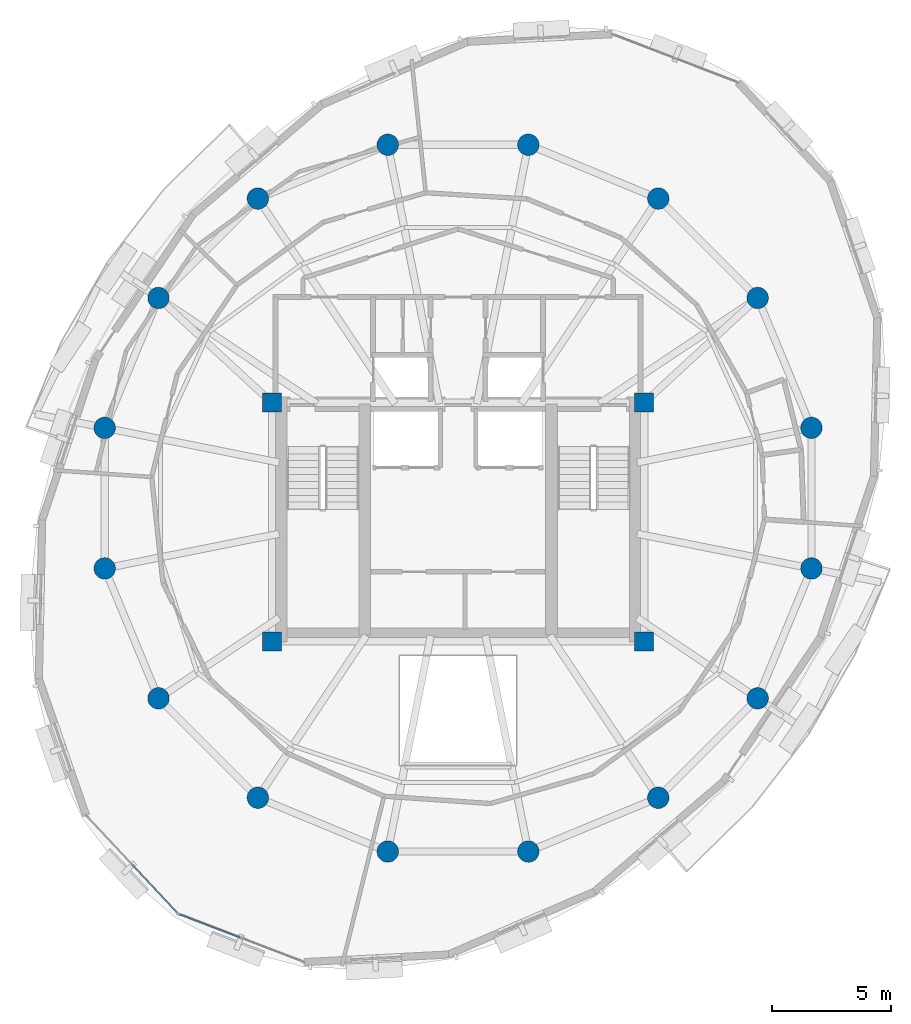
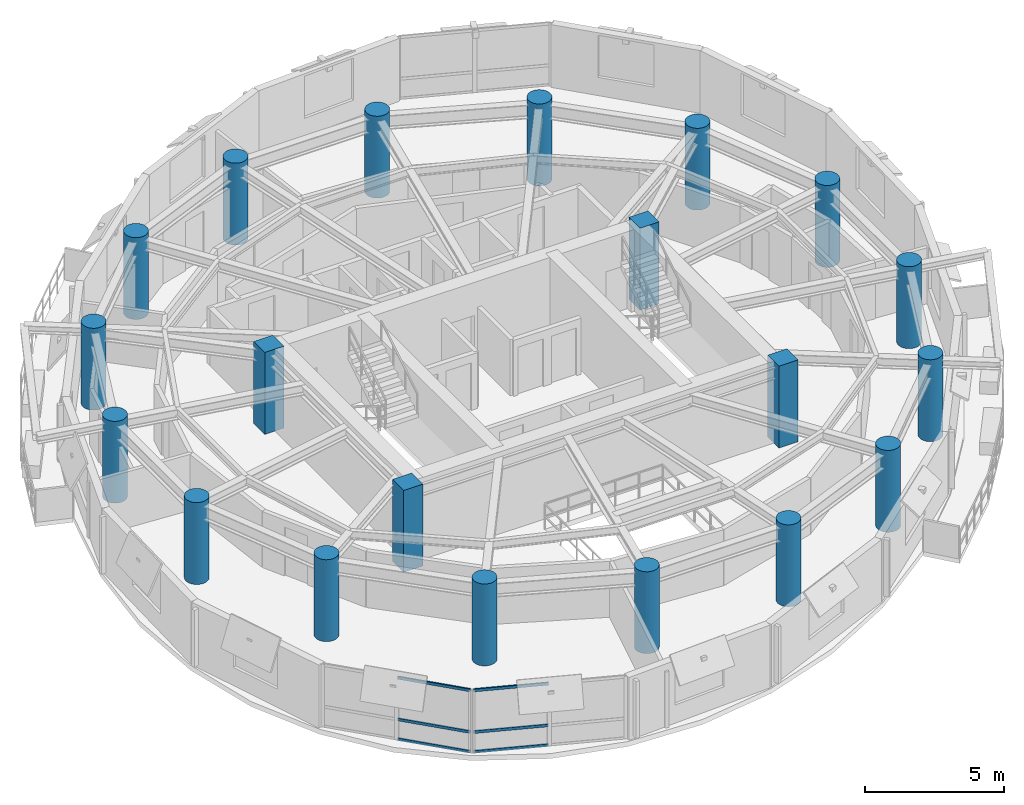
# One storey, part 1 of 11: 20 columns, 6 members, 2 elements without a shape of their own.
"""IFC4 building model written with IfcOpenShell, lengths in metres."""

from ifc_helpers import new_model, si_unit, direction, frame, origin, origin_2d, place, context, subcontext, project, spatial, rectangle, hollow_rectangle, circle, extrude, material, layer, layer_set, material_profile, profile_set, type_object, element, aggregate, save


model = new_model("IFC4")

# Units and contexts
model_context = context("Model", 3, precision=1e-05, world=origin(), true_north=direction((0.0, 1.0)))
body_context = subcontext(model_context, "Body", "Model", "MODEL_VIEW")
ifc_project = project(units=[si_unit("LENGTHUNIT", "METRE"), si_unit("AREAUNIT", "SQUARE_METRE"), si_unit("VOLUMEUNIT", "CUBIC_METRE"), si_unit("PLANEANGLEUNIT", "RADIAN"), si_unit("MASSUNIT", "GRAM", prefix="KILO"), si_unit("THERMODYNAMICTEMPERATUREUNIT", "KELVIN"), si_unit("POWERUNIT", "WATT")], contexts=[model_context])

# Site, building, storey
site_placement = place(None, origin())
site = spatial("IfcSite", under=ifc_project, at=site_placement, CompositionType="ELEMENT")
building_placement = place(site_placement, origin())
building = spatial("IfcBuilding", under=site, at=building_placement, Name="Ocrelia Relay Tower", CompositionType="ELEMENT")
storey_placement = place(building_placement, frame((0.0, 0.0, 262.800048828125)))
storey = spatial("IfcBuildingStorey", under=building, at=storey_placement, Name="L65", CompositionType="ELEMENT", Elevation=262.800048828125)

# Columns
ifc_material_1 = material(Name="Concrete C50/60", Category="concrete")
ifc_material_profile_1 = material_profile(ifc_material_1, circle(Radius=0.449951171875, at=origin_2d()), Name="RC-CIR-900")
ifc_profile_set_1 = profile_set([ifc_material_profile_1], Name="Concrete C50/60")
column_type_1 = type_object("IfcColumnType", Name="COL-CT-900", PredefinedType="COLUMN", material=ifc_profile_set_1)
for number, where, z_axis, x_axis, name in (
    (1, (48.809814453125, 28.94580078125, 0.0), (0.0, 0.0, 1.0), (1.0, 0.0, 0.0), "L65 Perimeter Ring Column C01"),
    (2, (46.55517578125, 34.38916015625, 0.0), (0.0, 0.0, 1.0), (1.0, 0.0, 0.0), "L65 Perimeter Ring Column C02"),
    (3, (42.38916015625, 38.55517578125, 0.0), (0.0, 0.0, 1.0), (1.0, 0.0, 0.0), "L65 Perimeter Ring Column C03"),
    (4, (36.94580078125, 40.809814453125, 0.0), (0.0, 0.0, 1.0), (1.0, 0.0, 0.0), "L65 Perimeter Ring Column C04"),
    (5, (31.05419921875, 40.809814453125, 0.0), (0.0, 0.0, 1.0), (1.0, 0.0, 0.0), "L65 Perimeter Ring Column C05"),
    (6, (25.61083984375, 38.55517578125, 0.0), (0.0, 0.0, 1.0), (1.0, 0.0, 0.0), "L65 Perimeter Ring Column C06"),
    (7, (21.44482421875, 34.38916015625, 0.0), (0.0, 0.0, 1.0), (1.0, 0.0, 0.0), "L65 Perimeter Ring Column C07"),
    (8, (19.190185546875, 28.94580078125, 0.0), (0.0, 0.0, 1.0), (1.0, 0.0, 0.0), "L65 Perimeter Ring Column C08"),
    (9, (19.190185546875, 23.05419921875, 0.0), (0.0, 0.0, 1.0), (1.0, 0.0, 0.0), "L65 Perimeter Ring Column C09"),
    (10, (21.44482421875, 17.61083984375, 0.0), (0.0, 0.0, 1.0), (1.0, 0.0, 0.0), "L65 Perimeter Ring Column C10"),
    (11, (25.61083984375, 13.44482421875, 0.0), (0.0, 0.0, 1.0), (1.0, 0.0, 0.0), "L65 Perimeter Ring Column C11"),
    (12, (31.05419921875, 11.190185546875, 0.0), (0.0, 0.0, 1.0), (1.0, 0.0, 0.0), "L65 Perimeter Ring Column C12"),
    (13, (36.94580078125, 11.190185546875, 0.0), (0.0, 0.0, 1.0), (1.0, 0.0, 0.0), "L65 Perimeter Ring Column C13"),
    (14, (42.38916015625, 13.44482421875, 0.0), (0.0, 0.0, 1.0), (1.0, 0.0, 0.0), "L65 Perimeter Ring Column C14"),
    (15, (46.55517578125, 17.61083984375, 0.0), (0.0, 0.0, 1.0), (1.0, 0.0, 0.0), "L65 Perimeter Ring Column C15"),
    (16, (48.809814453125, 23.05419921875, 0.0), (0.0, 0.0, 1.0), (1.0, 0.0, 0.0), "L65 Perimeter Ring Column C16"),
):
    element("IfcColumn", number, at=place(storey_placement, frame(where, z_axis=z_axis, x_axis=x_axis)), inside=storey, type_object=column_type_1, Name=name, PredefinedType="COLUMN", context=body_context, shape_type="SweptSolid", body=[
        extrude(circle(Radius=0.449951171875, at=origin_2d()), origin(), (0.0, 0.0, 1.0), 3.599853515625),
    ])
ifc_material_2 = material(Name="Concrete C60/75", Category="concrete")
ifc_material_profile_2 = material_profile(ifc_material_2, rectangle(XDim=0.800048828125, YDim=0.800048828125, at=origin_2d()), Name="RC-COL-800x800")
ifc_profile_set_2 = profile_set([ifc_material_profile_2], Name="Concrete C60/75")
column_type_2 = type_object("IfcColumnType", Name="COL-PILASTER-800", PredefinedType="PILASTER", material=ifc_profile_set_2)
for number, where, z_axis, x_axis, name in (
    (17, (26.199951171875, 20.0, 0.0), (0.0, 0.0, 1.0), (1.0, 0.0, 0.0), "L65 Core Corner Pilaster SW"),
    (18, (41.800048828125, 20.0, 0.0), (0.0, 0.0, 1.0), (1.0, 0.0, 0.0), "L65 Core Corner Pilaster SE"),
    (19, (26.199951171875, 30.0, 0.0), (0.0, 0.0, 1.0), (1.0, 0.0, 0.0), "L65 Core Corner Pilaster NW"),
    (20, (41.800048828125, 30.0, 0.0), (0.0, 0.0, 1.0), (1.0, 0.0, 0.0), "L65 Core Corner Pilaster NE"),
):
    element("IfcColumn", number, at=place(storey_placement, frame(where, z_axis=z_axis, x_axis=x_axis)), inside=storey, type_object=column_type_2, Name=name, PredefinedType="PILASTER", context=body_context, shape_type="SweptSolid", body=[
        extrude(rectangle(XDim=0.800048828125, YDim=0.800048828125, at=origin_2d()), origin(), (0.0, 0.0, 1.0), 3.599853515625),
    ])

# Curtain wall, members
ifc_material_3 = material(Name="Aluminium and solar-control low-E glass", Category="aluminium")
ifc_layer = layer(ifc_material_3, 0.179931640625, Name="Aluminium and solar-control low-E glass")
ifc_layer_set = layer_set([ifc_layer], Name="Aluminium and solar-control low-E glass")
curtain_wall_type = type_object("IfcCurtainWallType", Name="CW-SYS-Z4-EXEC", PredefinedType="NOTDEFINED", material=ifc_layer_set)
curtain_wall_1_placement = place(storey_placement, origin())
curtain_wall_1 = element("IfcCurtainWall", 21, at=curtain_wall_1_placement, inside=storey, type_object=curtain_wall_type, Name="L65 Elliptical Tower Curtain Wall Bay 09", PredefinedType="NOTDEFINED")
ifc_material_4 = material(Name="Anodised bronze aluminium", Category="aluminium")
ifc_material_profile_3 = material_profile(ifc_material_4, hollow_rectangle(XDim=0.06005859375, YDim=0.1201171875, WallThickness=0.0048828125, at=origin_2d()), Name="CW-TRN-120x60")
ifc_profile_set_3 = profile_set([ifc_material_profile_3], Name="Anodised bronze aluminium")
member_type = type_object("IfcMemberType", Name="CW-SYS-Z4-EXEC-TRN", PredefinedType="USERDEFINED", material=ifc_profile_set_3)
member_1_placement = place(storey_placement, frame((20.364013671875, 10.619140625, 0.030029296875), z_axis=(0.683267981783, -0.73016769654, 0.0), x_axis=(0.73016769654, 0.683267981783, 0.0)))
member_1 = element("IfcMember", 22, at=member_1_placement, type_object=member_type, Name="CW-Z4 transom 2.1", ObjectType="TRANSOM", PredefinedType="USERDEFINED", context=body_context, shape_type="SweptSolid", body=[
    extrude(hollow_rectangle(XDim=0.06005859375, YDim=0.1201171875, WallThickness=0.0048828125, at=origin_2d()), origin(), (0.0, 0.0, 1.0), 2.727783203125),
])
member_2_placement = place(storey_placement, frame((20.364013671875, 10.619140625, 0.89990234375), z_axis=(0.683267981783, -0.73016769654, 0.0), x_axis=(0.73016769654, 0.683267981783, 0.0)))
member_2 = element("IfcMember", 23, at=member_2_placement, type_object=member_type, Name="CW-Z4 transom 2.2", ObjectType="TRANSOM", PredefinedType="USERDEFINED", context=body_context, shape_type="SweptSolid", body=[
    extrude(hollow_rectangle(XDim=0.06005859375, YDim=0.1201171875, WallThickness=0.0048828125, at=origin_2d()), origin(), (0.0, 0.0, 1.0), 2.727783203125),
])
member_3_placement = place(storey_placement, frame((20.364013671875, 10.619140625, 2.72998046875), z_axis=(0.683267981783, -0.73016769654, 0.0), x_axis=(0.73016769654, 0.683267981783, 0.0)))
member_3 = element("IfcMember", 24, at=member_3_placement, type_object=member_type, Name="CW-Z4 transom 2.3", ObjectType="TRANSOM", PredefinedType="USERDEFINED", context=body_context, shape_type="SweptSolid", body=[
    extrude(hollow_rectangle(XDim=0.06005859375, YDim=0.1201171875, WallThickness=0.0048828125, at=origin_2d()), origin(), (0.0, 0.0, 1.0), 2.727783203125),
])
aggregate(curtain_wall_1, [member_1, member_2, member_3])

curtain_wall_2_placement = place(storey_placement, origin())
curtain_wall_2 = element("IfcCurtainWall", 25, at=curtain_wall_2_placement, inside=storey, type_object=curtain_wall_type, Name="L65 Elliptical Tower Curtain Wall Bay 10", PredefinedType="NOTDEFINED")
member_4_placement = place(storey_placement, frame((22.332763671875, 8.556640625, 0.030029296875), z_axis=(0.933612935235, -0.358283249904, 0.0), x_axis=(0.358283249904, 0.933612935235, 0.0)))
member_4 = element("IfcMember", 26, at=member_4_placement, type_object=member_type, Name="CW-Z4 transom 1.1", ObjectType="TRANSOM", PredefinedType="USERDEFINED", context=body_context, shape_type="SweptSolid", body=[
    extrude(hollow_rectangle(XDim=0.06005859375, YDim=0.1201171875, WallThickness=0.0048828125, at=origin_2d()), origin(), (0.0, 0.0, 1.0), 2.727783203125),
])
member_5_placement = place(storey_placement, frame((22.332763671875, 8.556640625, 0.89990234375), z_axis=(0.933612935235, -0.358283249904, 0.0), x_axis=(0.358283249904, 0.933612935235, 0.0)))
member_5 = element("IfcMember", 27, at=member_5_placement, type_object=member_type, Name="CW-Z4 transom 1.2", ObjectType="TRANSOM", PredefinedType="USERDEFINED", context=body_context, shape_type="SweptSolid", body=[
    extrude(hollow_rectangle(XDim=0.06005859375, YDim=0.1201171875, WallThickness=0.0048828125, at=origin_2d()), origin(), (0.0, 0.0, 1.0), 2.727783203125),
])
member_6_placement = place(storey_placement, frame((22.332763671875, 8.556640625, 2.72998046875), z_axis=(0.933612935235, -0.358283249904, 0.0), x_axis=(0.358283249904, 0.933612935235, 0.0)))
member_6 = element("IfcMember", 28, at=member_6_placement, type_object=member_type, Name="CW-Z4 transom 1.3", ObjectType="TRANSOM", PredefinedType="USERDEFINED", context=body_context, shape_type="SweptSolid", body=[
    extrude(hollow_rectangle(XDim=0.06005859375, YDim=0.1201171875, WallThickness=0.0048828125, at=origin_2d()), origin(), (0.0, 0.0, 1.0), 2.727783203125),
])
aggregate(curtain_wall_2, [member_4, member_5, member_6])

save(model, "model.ifc")
